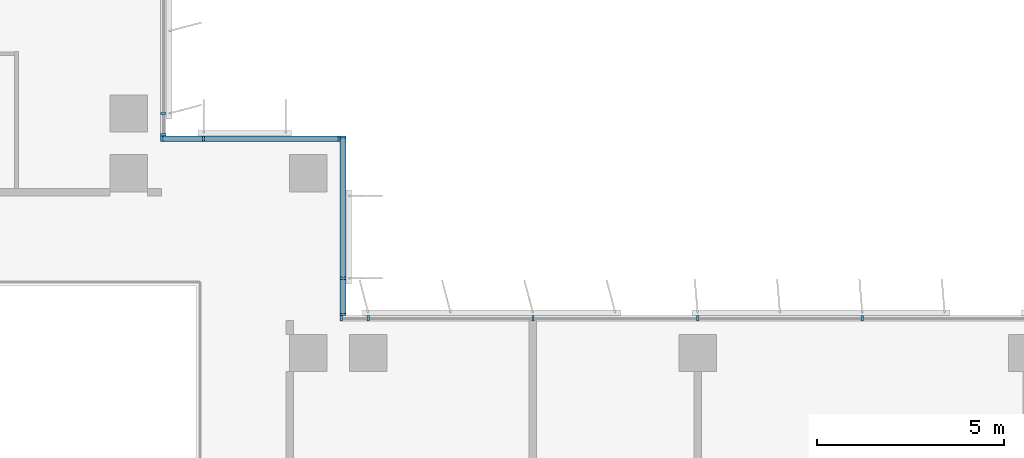
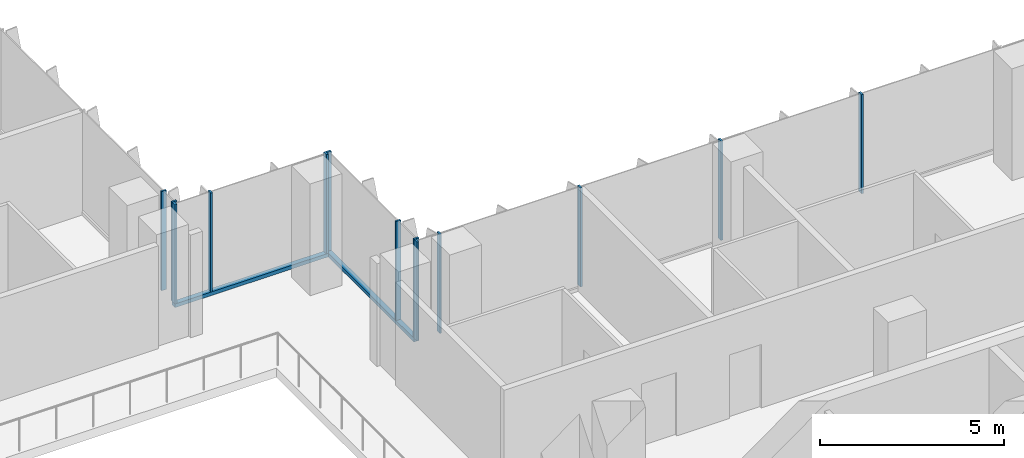
# One storey, part 2 of 21: 15 members, 4 elements without a shape of their own.
"""IFC4 building model written with IfcOpenShell, lengths in metres."""

import ifcopenshell
import ifcopenshell.guid

model = None  # the IFC model being written
_history = None  # IfcOwnerHistory: only IFC2X3 demands one
_inside = {}  # id of a spatial element -> (the spatial element, [elements in it])
_under = {}  # id of a project, library or spatial element -> (it, [spatial elements below it])
_declared = {}  # id of a project -> (the project, [libraries it declares])
_typed = {}  # id of a type object -> (the type object, [elements of that type])
_made_of = {}  # id of a material, layer set ... -> (it, [elements and type objects made of it])


def new_model(schema):
    """Start an empty IFC model of exactly this schema.

    Asked for "IFC4X3", IfcOpenShell would pick the latest addendum, in which some entities
    have other attributes; the version numbers below select the first issue.
    IFC2X3 requires an IfcOwnerHistory on every rooted entity: one is made here for all.
    """
    global model, _history
    if schema == "IFC4X3":
        model = ifcopenshell.file(schema_version=(4, 3, 0, 0))
    else:
        model = ifcopenshell.file(schema=schema)
    _inside.clear()
    _under.clear()
    _declared.clear()
    _typed.clear()
    _made_of.clear()
    _history = None
    if model.schema == "IFC2X3":
        org = make("IfcOrganization", Name="unknown")
        user = make(
            "IfcPersonAndOrganization",
            ThePerson=make("IfcPerson", FamilyName="unknown"),
            TheOrganization=org,
        )
        app = make(
            "IfcApplication",
            ApplicationDeveloper=org,
            Version="unknown",
            ApplicationFullName="unknown",
            ApplicationIdentifier="unknown",
        )
        _history = make(
            "IfcOwnerHistory",
            OwningUser=user,
            OwningApplication=app,
            ChangeAction="ADDED",
            CreationDate=0,
        )
    return model


def make(cls, **values):
    """One entity of the class cls with the attributes given. An attribute that is None is left unset."""
    return model.create_entity(
        cls, **{name: value for name, value in values.items() if value is not None}
    )


def rooted(cls, **values):
    """An entity with a GlobalId (a new one), such as an element, a storey or a relation."""
    return make(cls, GlobalId=ifcopenshell.guid.new(), OwnerHistory=_history, **values)


def si_unit(unit_type, name, prefix=None):
    """IfcSIUnit, for example si_unit("LENGTHUNIT", "METRE", prefix="MILLI")."""
    return make("IfcSIUnit", UnitType=unit_type, Prefix=prefix, Name=name)


def assignment(units):
    """IfcUnitAssignment: the units of a project."""
    return None if units is None else make("IfcUnitAssignment", Units=units)


def point(xyz):
    """IfcCartesianPoint."""
    return None if xyz is None else make("IfcCartesianPoint", Coordinates=xyz)


def direction(xyz):
    """IfcDirection."""
    return None if xyz is None else make("IfcDirection", DirectionRatios=xyz)


def frame(location, z_axis=None, x_axis=None):
    """IfcAxis2Placement3D, a coordinate frame: its origin and axes. An axis left out is left unset."""
    return make(
        "IfcAxis2Placement3D",
        Location=point(location),
        Axis=direction(z_axis),
        RefDirection=direction(x_axis),
    )


def frame_2d(location, x_axis=None):
    """IfcAxis2Placement2D, a coordinate frame in the plane: its origin and x axis."""
    return make(
        "IfcAxis2Placement2D", Location=point(location), RefDirection=direction(x_axis)
    )


def origin():
    """The frame at (0, 0, 0) with its axes left unset."""
    return frame((0.0, 0.0, 0.0))


def origin_2d():
    """The frame at (0, 0) in the plane with its x axis left unset."""
    return frame_2d((0.0, 0.0))


def place(relative_to, where):
    """IfcLocalPlacement: puts the frame where relative to a parent placement (None: the world)."""
    return make(
        "IfcLocalPlacement", PlacementRelTo=relative_to, RelativePlacement=where
    )


def context(
    kind, dimensions, precision=None, world=None, true_north=None, identifier=None
):
    """IfcGeometricRepresentationContext, for example the 3D "Model" context."""
    return make(
        "IfcGeometricRepresentationContext",
        ContextIdentifier=identifier,
        ContextType=kind,
        CoordinateSpaceDimension=dimensions,
        Precision=precision,
        WorldCoordinateSystem=world,
        TrueNorth=true_north,
    )


def subcontext(parent, identifier, kind, view, scale=None):
    """IfcGeometricRepresentationSubContext, for example "Body" below "Model"."""
    return make(
        "IfcGeometricRepresentationSubContext",
        ContextIdentifier=identifier,
        ContextType=kind,
        ParentContext=parent,
        TargetScale=scale,
        TargetView=view,
    )


def project(units=None, contexts=None):
    """IfcProject with its units and contexts."""
    return rooted(
        "IfcProject",
        Name="project",
        RepresentationContexts=contexts,
        UnitsInContext=assignment(units),
    )


def spatial(cls, under=None, at=None, **own):
    """A site, building, storey or space (cls), placed at a placement, below another one or the project."""
    s = rooted(cls, ObjectPlacement=at, **own)
    if under is not None:
        _under.setdefault(under.id(), (under, []))[1].append(s)
    return s


def profile(cls, at=None, kind="AREA", **sizes):
    """A parametric profile (cls). Its sizes go by their IFC names, for example OverallWidth=200.0."""
    return make(cls, ProfileType=kind, Position=at, **sizes)


def rectangle(**sizes):
    """IfcRectangleProfileDef."""
    return profile("IfcRectangleProfileDef", **sizes)


def extrude(swept, where, along, depth):
    """IfcExtrudedAreaSolid: the profile swept, set in the frame where, extruded along a direction by depth."""
    return make(
        "IfcExtrudedAreaSolid",
        SweptArea=swept,
        Position=where,
        ExtrudedDirection=direction(along),
        Depth=depth,
    )


def shape(context_of_items, identifier, shape_type, items):
    """IfcShapeRepresentation: the items that make up one representation, for example the "Body"."""
    return make(
        "IfcShapeRepresentation",
        ContextOfItems=context_of_items,
        RepresentationIdentifier=identifier,
        RepresentationType=shape_type,
        Items=items,
    )


def source(mapping_origin, context_of_items, identifier, shape_type, items):
    """IfcRepresentationMap: a shape defined once, which mapped items show again and again."""
    return make(
        "IfcRepresentationMap",
        MappingOrigin=mapping_origin,
        MappedRepresentation=shape(context_of_items, identifier, shape_type, items),
    )


def transform(
    local_origin,
    x_axis=None,
    y_axis=None,
    z_axis=None,
    scale=None,
    scale2=None,
    scale3=None,
    uniform=True,
):
    """IfcCartesianTransformationOperator3D, or its non-uniform kind. x_axis, y_axis, z_axis: its Axis1, 2, 3."""
    if uniform:
        return make(
            "IfcCartesianTransformationOperator3D",
            Axis1=direction(x_axis),
            Axis2=direction(y_axis),
            LocalOrigin=point(local_origin),
            Scale=scale,
            Axis3=direction(z_axis),
        )
    return make(
        "IfcCartesianTransformationOperator3DnonUniform",
        Axis1=direction(x_axis),
        Axis2=direction(y_axis),
        LocalOrigin=point(local_origin),
        Scale=scale,
        Axis3=direction(z_axis),
        Scale2=scale2,
        Scale3=scale3,
    )


def mapped(mapping_source, mapping_target):
    """IfcMappedItem: shows the shape of a source again, moved by a transform."""
    return make(
        "IfcMappedItem", MappingSource=mapping_source, MappingTarget=mapping_target
    )


def material(Name=None, Category=None):
    """IfcMaterial."""
    return make("IfcMaterial", Name=Name, Category=Category)


def material_profile(
    of_material, cross_section, Name=None, Category=None, Priority=None
):
    """IfcMaterialProfile: a cross section and its material."""
    return make(
        "IfcMaterialProfile",
        Name=Name,
        Material=of_material,
        Profile=cross_section,
        Priority=Priority,
        Category=Category,
    )


def profile_set(profiles, Name=None, composite=None):
    """IfcMaterialProfileSet."""
    return make(
        "IfcMaterialProfileSet",
        Name=Name,
        MaterialProfiles=profiles,
        CompositeProfile=composite,
    )


def made_of(thing, what):
    """Note that an element or type object is made of a material, layer set ...; save() writes the relation."""
    if what is not None:
        _made_of.setdefault(what.id(), (what, []))[1].append(thing)
    return thing


def type_object(cls, material=None, **own):
    """A type object (cls), such as IfcWallType, which elements share."""
    return made_of(rooted(cls, **own), material)


def element(
    cls,
    number,
    at=None,
    inside=None,
    cuts=None,
    type_object=None,
    material=None,
    context=None,
    identifier="Body",
    shape_type=None,
    held_by="IfcProductDefinitionShape",
    body=None,
    shapes=None,
    **own,
):
    """One element of the class cls, such as IfcWall. Its Tag is "e" and its number.

    at: its placement. inside: the storey or other place that contains it. cuts: it is an
    opening in that element (IfcRelVoidsElement). A single representation is given by context,
    identifier, shape_type and body (its items); several are given by shapes. held_by: the class
    of the entity that holds the representations. save() writes the other relations.
    """
    e = rooted(cls, Tag="e%d" % number, ObjectPlacement=at, **own)
    if body is not None:
        shapes = [shape(context, identifier, shape_type, body)]
    if shapes is not None:
        e.Representation = make(held_by, Representations=shapes)
    if inside is not None:
        _inside.setdefault(inside.id(), (inside, []))[1].append(e)
    if cuts is not None:
        rooted(
            "IfcRelVoidsElement", RelatingBuildingElement=cuts, RelatedOpeningElement=e
        )
    if type_object is not None:
        _typed.setdefault(type_object.id(), (type_object, []))[1].append(e)
    return made_of(e, material)


def aggregate(whole, parts):
    """IfcRelAggregates: a whole, such as a stair, and the parts it consists of."""
    return rooted("IfcRelAggregates", RelatingObject=whole, RelatedObjects=parts)


def save(model, path):
    """Write the relations noted so far, then the file.

    IfcRelAggregates (storeys below a building ...), IfcRelContainedInSpatialStructure (elements
    in a storey), IfcRelDefinesByType, IfcRelAssociatesMaterial and IfcRelDeclares: one each for
    every whole, place, type object, material and project.
    """
    for whole, parts in _under.values():
        aggregate(whole, parts)
    for where, things in _inside.values():
        rooted(
            "IfcRelContainedInSpatialStructure",
            RelatedElements=things,
            RelatingStructure=where,
        )
    for kind, things in _typed.values():
        rooted("IfcRelDefinesByType", RelatedObjects=things, RelatingType=kind)
    for what, things in _made_of.values():
        rooted("IfcRelAssociatesMaterial", RelatedObjects=things, RelatingMaterial=what)
    for by, libraries in _declared.values():
        rooted("IfcRelDeclares", RelatingContext=by, RelatedDefinitions=libraries)
    model.write(path)


model = new_model("IFC4")

# Units and contexts
model_context = context("Model", 3, precision=1e-05, world=origin(), true_north=direction((0.0, 1.0)))
body_context = subcontext(model_context, "Body", "Model", "MODEL_VIEW")
ifc_project = project(units=[si_unit("LENGTHUNIT", "METRE"), si_unit("AREAUNIT", "SQUARE_METRE"), si_unit("VOLUMEUNIT", "CUBIC_METRE"), si_unit("PLANEANGLEUNIT", "RADIAN"), si_unit("MASSUNIT", "GRAM", prefix="KILO")], contexts=[model_context])

# Site, building, storey
site_placement = place(None, origin())
site = spatial("IfcSite", under=ifc_project, at=site_placement, CompositionType="ELEMENT")
building_placement = place(site_placement, origin())
building = spatial("IfcBuilding", under=site, at=building_placement, Name="Kemantara Hotel Tower", CompositionType="ELEMENT")
storey_placement = place(building_placement, frame((0.0, 0.0, 160.5)))
storey = spatial("IfcBuildingStorey", under=building, at=storey_placement, Name="L39", CompositionType="ELEMENT", Elevation=160.5)

# Curtain wall, member
ifc_material_1 = material(Name="Low-E tinted double insulated glass 36 mm", Category="glass")
curtain_wall_type = type_object("IfcCurtainWallType", Name="TOWER CURTAIN WALL, FRONT FACES", PredefinedType="USERDEFINED", material=ifc_material_1)
curtain_wall_1_placement = place(storey_placement, origin())
curtain_wall_1 = element("IfcCurtainWall", 1, at=curtain_wall_1_placement, inside=storey, type_object=curtain_wall_type, Name="CW4 L39 T3-R15-1", ObjectType="TOWER CURTAIN WALL, FRONT FACES", PredefinedType="USERDEFINED")
ifc_material_2 = material(Name="Aluminium 6063-T6 bronze anodised", Category="aluminium")
ifc_material_profile_1 = material_profile(ifc_material_2, rectangle(XDim=0.14990234375, YDim=0.1201171875, at=origin_2d()), Name="TOWER CURTAIN WALL, FRONT FACES TRANSOM")
ifc_profile_set_1 = profile_set([ifc_material_profile_1], Name="Aluminium 6063-T6 bronze anodised")
member_type_1 = type_object("IfcMemberType", Name="TOWER CURTAIN WALL, FRONT FACES TRANSOM", PredefinedType="USERDEFINED", material=ifc_profile_set_1)
member_1_placement = place(storey_placement, frame((26.72509765625, 22.0, 0.06005859375), z_axis=(0.0, 1.0, 0.0), x_axis=(-1.0, 0.0, 0.0)))
member_1 = element("IfcMember", 2, at=member_1_placement, type_object=member_type_1, Name="CW4 sill transom T3-R15-1", ObjectType="TRANSOM", PredefinedType="USERDEFINED", context=body_context, shape_type="SweptSolid", body=[
    extrude(rectangle(XDim=0.14990234375, YDim=0.1201171875, at=origin_2d()), origin(), (0.0, 0.0, 1.0), 4.800048828125),
])

curtain_wall_2_placement = place(storey_placement, origin())
curtain_wall_2 = element("IfcCurtainWall", 3, at=curtain_wall_2_placement, inside=storey, type_object=curtain_wall_type, Name="CW4 L39 T3-R16-1", ObjectType="TOWER CURTAIN WALL, FRONT FACES", PredefinedType="USERDEFINED")
member_2_placement = place(storey_placement, frame((26.64990234375, 26.72509765625, 0.06005859375), z_axis=(-1.0, 0.0, 0.0), x_axis=(0.0, -1.0, 0.0)))
member_2 = element("IfcMember", 4, at=member_2_placement, type_object=member_type_1, Name="CW4 sill transom T3-R16-1", ObjectType="TRANSOM", PredefinedType="USERDEFINED", context=body_context, shape_type="SweptSolid", body=[
    extrude(rectangle(XDim=0.14990234375, YDim=0.1201171875, at=origin_2d()), origin(), (0.0, 0.0, 1.0), 4.7998046875),
])

# Curtain wall, members
curtain_wall_3_placement = place(storey_placement, origin())
curtain_wall_3 = element("IfcCurtainWall", 5, at=curtain_wall_3_placement, inside=storey, type_object=curtain_wall_type, Name="CW4 L39 T3-R14-1", ObjectType="TOWER CURTAIN WALL, FRONT FACES", PredefinedType="USERDEFINED")
ifc_material_profile_2 = material_profile(ifc_material_2, rectangle(XDim=0.14990234375, YDim=0.06005859375, at=origin_2d()), Name="TOWER CURTAIN WALL, FRONT FACES MULLION")
ifc_profile_set_2 = profile_set([ifc_material_profile_2], Name="Aluminium 6063-T6 bronze anodised")
member_type_2 = type_object("IfcMemberType", Name="TOWER CURTAIN WALL, FRONT FACES MULLION", PredefinedType="MULLION", material=ifc_profile_set_2)
shared_shape = source(origin(), body_context, "Body", "SweptSolid", [
    extrude(rectangle(XDim=0.14990234375, YDim=0.06005859375, at=origin_2d()), origin(), (0.0, 0.0, 1.0), 3.27978515625),
])
member_3_placement = place(storey_placement, frame((40.60009765625, 21.925048828125, 0.1201171875), z_axis=(0.0, 0.0, 1.0), x_axis=(0.0, -1.0, 0.0)))
member_3 = element("IfcMember", 6, at=member_3_placement, type_object=member_type_2, Name="CW4 mullion T3-R14-1.6", PredefinedType="MULLION", context=body_context, shape_type="MappedRepresentation", body=[
    mapped(shared_shape, transform((0.0, 0.0, 0.0))),
])
member_4_placement = place(storey_placement, frame((36.199951171875, 21.925048828125, 0.1201171875), z_axis=(0.0, 0.0, 1.0), x_axis=(0.0, -1.0, 0.0)))
member_4 = element("IfcMember", 7, at=member_4_placement, type_object=member_type_2, Name="CW4 mullion T3-R14-1.7", PredefinedType="MULLION", context=body_context, shape_type="MappedRepresentation", body=[
    mapped(shared_shape, transform((0.0, 0.0, 0.0))),
])
member_5_placement = place(storey_placement, frame((31.800048828125, 21.925048828125, 0.1201171875), z_axis=(0.0, 0.0, 1.0), x_axis=(0.0, -1.0, 0.0)))
member_5 = element("IfcMember", 8, at=member_5_placement, type_object=member_type_2, Name="CW4 mullion T3-R14-1.8", PredefinedType="MULLION", context=body_context, shape_type="MappedRepresentation", body=[
    mapped(shared_shape, transform((0.0, 0.0, 0.0))),
])
member_6_placement = place(storey_placement, frame((27.39990234375, 21.925048828125, 0.1201171875), z_axis=(0.0, 0.0, 1.0), x_axis=(0.0, -1.0, 0.0)))
member_6 = element("IfcMember", 9, at=member_6_placement, type_object=member_type_2, Name="CW4 mullion T3-R14-1.9", PredefinedType="MULLION", context=body_context, shape_type="MappedRepresentation", body=[
    mapped(shared_shape, transform((0.0, 0.0, 0.0))),
])
member_7_placement = place(storey_placement, frame((26.679931640625, 21.925048828125, 0.1201171875), z_axis=(0.0, 0.0, 1.0), x_axis=(0.0, -1.0, 0.0)))
member_7 = element("IfcMember", 10, at=member_7_placement, type_object=member_type_2, Name="CW4 mullion T3-R14-1.10", PredefinedType="MULLION", context=body_context, shape_type="MappedRepresentation", body=[
    mapped(shared_shape, transform((0.0, 0.0, 0.0))),
])
aggregate(curtain_wall_3, [member_3, member_4, member_5, member_6, member_7])

# Member
member_8_placement = place(storey_placement, frame((26.72509765625, 22.030029296875, 0.1201171875), z_axis=(0.0, 0.0, 1.0), x_axis=(-1.0, 0.0, 0.0)))
member_8 = element("IfcMember", 11, at=member_8_placement, type_object=member_type_2, Name="CW4 mullion T3-R15-1.1", PredefinedType="MULLION", context=body_context, shape_type="MappedRepresentation", body=[
    mapped(shared_shape, transform((0.0, 0.0, 0.0))),
])

member_9_placement = place(storey_placement, frame((26.72509765625, 23.0, 0.1201171875), z_axis=(0.0, 0.0, 1.0), x_axis=(-1.0, 0.0, 0.0)))
member_9 = element("IfcMember", 12, at=member_9_placement, type_object=member_type_2, Name="CW4 mullion T3-R15-1.2", PredefinedType="MULLION", context=body_context, shape_type="MappedRepresentation", body=[
    mapped(shared_shape, transform((0.0, 0.0, 0.0))),
])

member_10_placement = place(storey_placement, frame((26.72509765625, 26.77001953125, 0.1201171875), z_axis=(0.0, 0.0, 1.0), x_axis=(-1.0, 0.0, 0.0)))
member_10 = element("IfcMember", 13, at=member_10_placement, type_object=member_type_2, Name="CW4 mullion T3-R15-1.3", PredefinedType="MULLION", context=body_context, shape_type="MappedRepresentation", body=[
    mapped(shared_shape, transform((0.0, 0.0, 0.0))),
])

aggregate(curtain_wall_1, [member_1, member_8, member_9, member_10])

member_11_placement = place(storey_placement, frame((26.6201171875, 26.72509765625, 0.1201171875), z_axis=(0.0, 0.0, 1.0), x_axis=(0.0, -1.0, 0.0)))
member_11 = element("IfcMember", 14, at=member_11_placement, type_object=member_type_2, Name="CW4 mullion T3-R16-1.1", PredefinedType="MULLION", context=body_context, shape_type="MappedRepresentation", body=[
    mapped(shared_shape, transform((0.0, 0.0, 0.0))),
])

member_12_placement = place(storey_placement, frame((23.0, 26.72509765625, 0.1201171875), z_axis=(0.0, 0.0, 1.0), x_axis=(0.0, -1.0, 0.0)))
member_12 = element("IfcMember", 15, at=member_12_placement, type_object=member_type_2, Name="CW4 mullion T3-R16-1.2", PredefinedType="MULLION", context=body_context, shape_type="MappedRepresentation", body=[
    mapped(shared_shape, transform((0.0, 0.0, 0.0))),
])

member_13_placement = place(storey_placement, frame((21.8798828125, 26.72509765625, 0.1201171875), z_axis=(0.0, 0.0, 1.0), x_axis=(0.0, -1.0, 0.0)))
member_13 = element("IfcMember", 16, at=member_13_placement, type_object=member_type_2, Name="CW4 mullion T3-R16-1.3", PredefinedType="MULLION", context=body_context, shape_type="MappedRepresentation", body=[
    mapped(shared_shape, transform((0.0, 0.0, 0.0))),
])

aggregate(curtain_wall_2, [member_2, member_11, member_12, member_13])

# Curtain wall, members
curtain_wall_4_placement = place(storey_placement, origin())
curtain_wall_4 = element("IfcCurtainWall", 17, at=curtain_wall_4_placement, inside=storey, type_object=curtain_wall_type, Name="CW4 L39 T3-R17-1", ObjectType="TOWER CURTAIN WALL, FRONT FACES", PredefinedType="USERDEFINED")
member_14_placement = place(storey_placement, frame((21.925048828125, 26.830078125, 0.1201171875), z_axis=(0.0, 0.0, 1.0), x_axis=(-1.0, 0.0, 0.0)))
member_14 = element("IfcMember", 18, at=member_14_placement, type_object=member_type_2, Name="CW4 mullion T3-R17-1.1", PredefinedType="MULLION", context=body_context, shape_type="MappedRepresentation", body=[
    mapped(shared_shape, transform((0.0, 0.0, 0.0))),
])
member_15_placement = place(storey_placement, frame((21.925048828125, 27.39990234375, 0.1201171875), z_axis=(0.0, 0.0, 1.0), x_axis=(-1.0, 0.0, 0.0)))
member_15 = element("IfcMember", 19, at=member_15_placement, type_object=member_type_2, Name="CW4 mullion T3-R17-1.2", PredefinedType="MULLION", context=body_context, shape_type="MappedRepresentation", body=[
    mapped(shared_shape, transform((0.0, 0.0, 0.0))),
])
aggregate(curtain_wall_4, [member_14, member_15])

save(model, "model.ifc")
